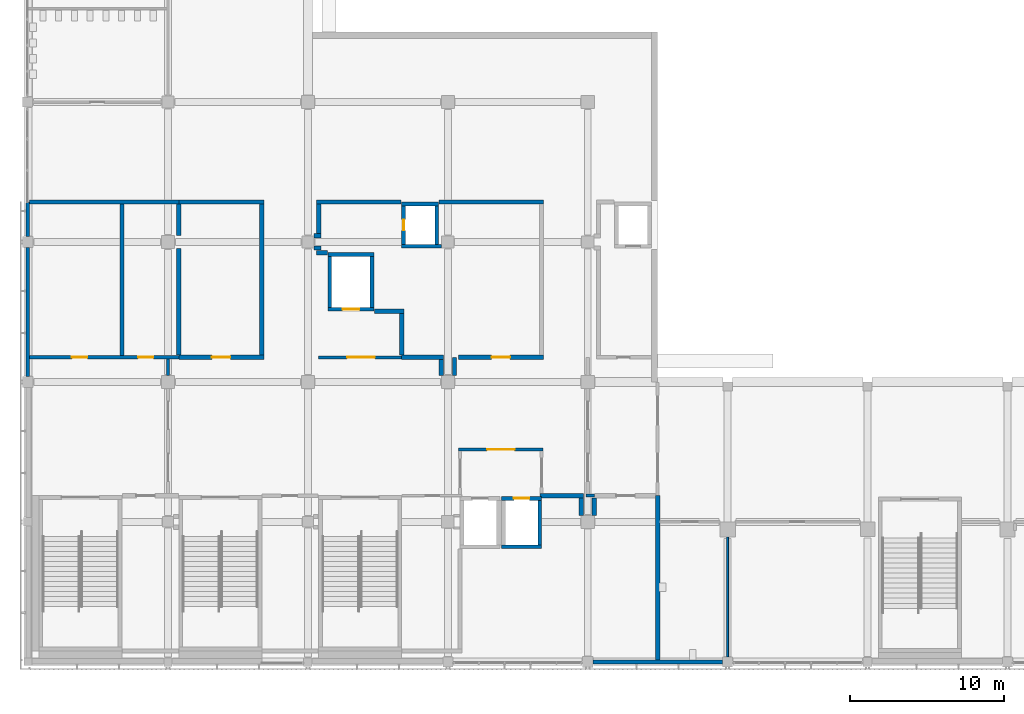
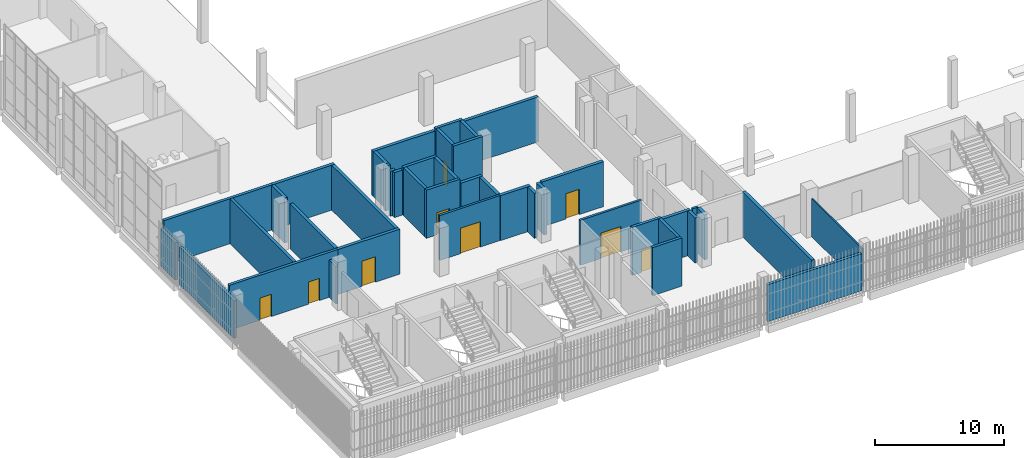
# One storey, part 74 of 126: 43 walls, 9 doors, 9 openings.
"""IFC4 building model written with IfcOpenShell, lengths in metres."""

from ifc_helpers import new_model, si_unit, direction, frame, frame_2d, origin, place, context, subcontext, project, spatial, rectangle, extrude, material, layer, layer_set, type_object, element, fill, save


model = new_model("IFC4")

# Units and contexts
model_context = context("Model", 3, precision=1e-05, world=origin(), true_north=direction((0.0, 1.0)))
body_context = subcontext(model_context, "Body", "Model", "MODEL_VIEW")
ifc_project = project(units=[si_unit("LENGTHUNIT", "METRE"), si_unit("AREAUNIT", "SQUARE_METRE"), si_unit("VOLUMEUNIT", "CUBIC_METRE"), si_unit("PLANEANGLEUNIT", "RADIAN"), si_unit("MASSUNIT", "GRAM", prefix="KILO")], contexts=[model_context])

# Site, building, storey
site_placement = place(None, origin())
site = spatial("IfcSite", under=ifc_project, at=site_placement, CompositionType="ELEMENT")
building_placement = place(site_placement, origin())
building = spatial("IfcBuilding", under=site, at=building_placement, Name="Shirokan Park Arena", CompositionType="ELEMENT")
storey_placement = place(building_placement, frame((0.0, 0.0, 6.3701171875)))
storey = spatial("IfcBuildingStorey", under=building, at=storey_placement, Name="L01", CompositionType="ELEMENT", Elevation=6.3701171875)

# Wall, openings, doors
ifc_material_1 = material(Name="Plaster")
ifc_layer_1 = layer(ifc_material_1, 0.014892578125, Name="Plaster")
ifc_material_2 = material(Name="Concrete blockwork", Category="masonry")
ifc_layer_2 = layer(ifc_material_2, 0.219970703125, Name="Concrete blockwork 220")
ifc_layer_3 = layer(ifc_material_1, 0.014892578125, Name="Plaster")
ifc_layer_set_1 = layer_set([ifc_layer_1, ifc_layer_2, ifc_layer_3], Name="Plaster + Concrete blockwork 220")
wall_type_1 = type_object("IfcWallType", Name="Compartment wall 250", PredefinedType="SOLIDWALL", material=ifc_layer_set_1)
wall_1_placement = place(storey_placement, frame((0.10009765625, 19.800048828125, 0.0), z_axis=(0.0, 0.0, 1.0), x_axis=(1.0, 0.0, 0.0)))
wall_1 = element("IfcWall", 1, at=wall_1_placement, inside=storey, type_object=wall_type_1, Name="Compartment wall 250 L01", PredefinedType="SOLIDWALL", context=body_context, shape_type="SweptSolid", body=[
    extrude(rectangle(XDim=9.699951171875, YDim=0.25, at=frame_2d((4.85009765625, 0.0))), origin(), (0.0, 0.0, 1.0), 4.25),
])
opening_1_placement = place(wall_1_placement, frame((7.050048828125, 0.0, 0.0)))
opening_1 = element("IfcOpeningElement", 2, at=opening_1_placement, cuts=wall_1, Name="Opening D-1001", PredefinedType="OPENING", context=body_context, shape_type="SweptSolid", body=[
    extrude(rectangle(XDim=1.0, YDim=2.10009765625, at=frame_2d((0.5, 1.050048828125))), frame((0.0, 0.135009765625, 0.0), z_axis=(0.0, -1.0, 0.0), x_axis=(1.0, 0.0, 0.0)), (0.0, 0.0, 1.0), 0.27001953125),
])
opening_2_placement = place(wall_1_placement, frame((2.75, 0.0, 0.0)))
opening_2 = element("IfcOpeningElement", 3, at=opening_2_placement, cuts=wall_1, Name="Opening D-1004", PredefinedType="OPENING", context=body_context, shape_type="SweptSolid", body=[
    extrude(rectangle(XDim=1.0, YDim=2.10009765625, at=frame_2d((0.5, 1.050048828125))), frame((0.0, 0.135009765625, 0.0), z_axis=(0.0, -1.0, 0.0), x_axis=(1.0, 0.0, 0.0)), (0.0, 0.0, 1.0), 0.27001953125),
])
ifc_material_3 = material(Name="Timber door set, fire resisting", Category="wood")
door_type_1 = type_object("IfcDoorType", Name="Door 1000 x 2100", OperationType="SINGLE_SWING_LEFT", PredefinedType="DOOR", material=ifc_material_3)
door_1_placement = place(opening_1_placement, origin())
door_1 = element("IfcDoor", 4, at=door_1_placement, inside=storey, type_object=door_type_1, Name="Door to Kiosk Store 1.17 D-1001", OperationType="SINGLE_SWING_LEFT", OverallHeight=2.10009765625, OverallWidth=1.0, PredefinedType="DOOR", context=body_context, shape_type="SweptSolid", body=[
    extrude(rectangle(XDim=1.0, YDim=2.10009765625, at=frame_2d((0.5, 1.050048828125))), frame((0.0, 0.02490234375, 0.0), z_axis=(0.0, -1.0, 0.0), x_axis=(1.0, 0.0, 0.0)), (0.0, 0.0, 1.0), 0.050048828125),
])
fill(opening_1, door_1)
door_2_placement = place(opening_2_placement, origin())
door_2 = element("IfcDoor", 5, at=door_2_placement, inside=storey, type_object=door_type_1, Name="Door to Kiosk Store 1.15 D-1004", OperationType="SINGLE_SWING_RIGHT", OverallHeight=2.10009765625, OverallWidth=1.0, PredefinedType="DOOR", context=body_context, shape_type="SweptSolid", body=[
    extrude(rectangle(XDim=1.0, YDim=2.10009765625, at=frame_2d((0.5, 1.050048828125))), frame((0.0, 0.02490234375, 0.0), z_axis=(0.0, -1.0, 0.0), x_axis=(1.0, 0.0, 0.0)), (0.0, 0.0, 1.0), 0.050048828125),
])
fill(opening_2, door_2)

# Walls
wall_2_placement = place(storey_placement, frame((0.10009765625, 29.89990234375, 0.0), z_axis=(0.0, 0.0, 1.0), x_axis=(1.0, 0.0, 0.0)))
element("IfcWall", 6, at=wall_2_placement, inside=storey, type_object=wall_type_1, Name="Compartment wall 250 L01", PredefinedType="SOLIDWALL", context=body_context, shape_type="SweptSolid", body=[
    extrude(rectangle(XDim=9.699951171875, YDim=0.25, at=frame_2d((4.85009765625, 0.0))), origin(), (0.0, 0.0, 1.0), 4.25),
])
wall_3_placement = place(storey_placement, frame((6.10009765625, 29.77490234375, 0.0), z_axis=(0.0, 0.0, 1.0), x_axis=(0.0, -1.0, 0.0)))
element("IfcWall", 7, at=wall_3_placement, inside=storey, type_object=wall_type_1, Name="Compartment wall 250 L01", PredefinedType="SOLIDWALL", context=body_context, shape_type="SweptSolid", body=[
    extrude(rectangle(XDim=9.849853515625, YDim=0.25, at=frame_2d((4.9248046875, 0.0))), origin(), (0.0, 0.0, 1.0), 4.25),
])
ifc_material_4 = material(Name="Gypsum board")
ifc_layer_4 = layer(ifc_material_4, 0.02490234375, Name="Gypsum board, two layers")
ifc_material_5 = material(Name="Mineral wool insulation")
ifc_layer_5 = layer(ifc_material_5, 0.14990234375, Name="Mineral wool insulation")
ifc_layer_6 = layer(ifc_material_4, 0.02490234375, Name="Gypsum board, two layers")
ifc_layer_set_2 = layer_set([ifc_layer_4, ifc_layer_5, ifc_layer_6], Name="Gypsum board, two layers + Mineral wool insulation")
wall_type_2 = type_object("IfcWallType", Name="Corridor wall 200", PredefinedType="PARTITIONING", material=ifc_layer_set_2)
wall_4_placement = place(storey_placement, frame((9.10009765625, 19.675048828125, 0.0), z_axis=(0.0, 0.0, 1.0), x_axis=(0.0, -1.0, 0.0)))
element("IfcWall", 8, at=wall_4_placement, inside=storey, type_object=wall_type_2, Name="Corridor wall 200 L01", PredefinedType="PARTITIONING", context=body_context, shape_type="SweptSolid", body=[
    extrude(rectangle(XDim=1.050048828125, YDim=0.199951171875, at=frame_2d((0.52490234375, 0.0))), origin(), (0.0, 0.0, 1.0), 3.5498046875),
])

# Wall, opening, door
wall_5_placement = place(storey_placement, frame((18.89990234375, 19.800048828125, 0.0), z_axis=(0.0, 0.0, 1.0), x_axis=(1.0, 0.0, 0.0)))
wall_5 = element("IfcWall", 9, at=wall_5_placement, inside=storey, type_object=wall_type_2, Name="Corridor wall 200 L01", PredefinedType="PARTITIONING", context=body_context, shape_type="SweptSolid", body=[
    extrude(rectangle(XDim=5.400146484375, YDim=0.199951171875, at=frame_2d((2.7001953125, 0.0))), origin(), (0.0, 0.0, 1.0), 4.25),
])
opening_3_placement = place(wall_5_placement, frame((1.85009765625, 0.0, 0.0)))
opening_3 = element("IfcOpeningElement", 10, at=opening_3_placement, cuts=wall_5, Name="Opening D-1060", PredefinedType="OPENING", context=body_context, shape_type="SweptSolid", body=[
    extrude(rectangle(XDim=1.800048828125, YDim=2.39990234375, at=frame_2d((0.89990234375, 1.199951171875))), frame((0.0, 0.10986328125, 0.0), z_axis=(0.0, -1.0, 0.0), x_axis=(1.0, 0.0, 0.0)), (0.0, 0.0, 1.0), 0.219970703125),
])
ifc_material_6 = material(Name="Glazed steel door set, fire resisting", Category="steel")
door_type_2 = type_object("IfcDoorType", Name="Lift lobby door 1800 x 2400", OperationType="DOUBLE_DOOR_SINGLE_SWING", PredefinedType="DOOR", material=ifc_material_6)
door_3_placement = place(opening_3_placement, origin())
door_3 = element("IfcDoor", 11, at=door_3_placement, inside=storey, type_object=door_type_2, Name="Door between Stair Lobby 1.1.2 and Service Lift Lobby 1.1 D-1060", OperationType="DOUBLE_DOOR_SINGLE_SWING", OverallHeight=2.39990234375, OverallWidth=1.800048828125, PredefinedType="DOOR", context=body_context, shape_type="SweptSolid", body=[
    extrude(rectangle(XDim=1.800048828125, YDim=2.39990234375, at=frame_2d((0.89990234375, 1.199951171875))), frame((0.0, 0.02490234375, 0.0), z_axis=(0.0, -1.0, 0.0), x_axis=(1.0, 0.0, 0.0)), (0.0, 0.0, 1.0), 0.050048828125),
])
fill(opening_3, door_3)

wall_6_placement = place(storey_placement, frame((33.5, 13.800048828125, 0.0), z_axis=(0.0, 0.0, 1.0), x_axis=(-1.0, 0.0, 0.0)))
wall_6 = element("IfcWall", 12, at=wall_6_placement, inside=storey, type_object=wall_type_2, Name="Corridor wall 200 L01", PredefinedType="PARTITIONING", context=body_context, shape_type="SweptSolid", body=[
    extrude(rectangle(XDim=5.5, YDim=0.199951171875, at=frame_2d((2.75, 0.0))), origin(), (0.0, 0.0, 1.0), 4.25),
])
opening_4_placement = place(wall_6_placement, frame((1.85009765625, 0.0, 0.0)))
opening_4 = element("IfcOpeningElement", 13, at=opening_4_placement, cuts=wall_6, Name="Opening D-1057", PredefinedType="OPENING", context=body_context, shape_type="SweptSolid", body=[
    extrude(rectangle(XDim=1.800048828125, YDim=2.39990234375, at=frame_2d((0.89990234375, 1.199951171875))), frame((0.0, 0.10986328125, 0.0), z_axis=(0.0, -1.0, 0.0), x_axis=(1.0, 0.0, 0.0)), (0.0, 0.0, 1.0), 0.219970703125),
])
door_4_placement = place(opening_4_placement, origin())
door_4 = element("IfcDoor", 14, at=door_4_placement, inside=storey, type_object=door_type_2, Name="Door between Stair Lobby 1.1.2 and Lift Lobby 1.1 D-1057", OperationType="DOUBLE_DOOR_SINGLE_SWING", OverallHeight=2.39990234375, OverallWidth=1.800048828125, PredefinedType="DOOR", context=body_context, shape_type="SweptSolid", body=[
    extrude(rectangle(XDim=1.800048828125, YDim=2.39990234375, at=frame_2d((0.89990234375, 1.199951171875))), frame((0.0, 0.02490234375, 0.0), z_axis=(0.0, -1.0, 0.0), x_axis=(1.0, 0.0, 0.0)), (0.0, 0.0, 1.0), 0.050048828125),
])
fill(opening_4, door_4)

# Wall
wall_7_placement = place(storey_placement, frame((36.300048828125, 10.800048828125, 0.0), z_axis=(0.0, 0.0, 1.0), x_axis=(1.0, 0.0, 0.0)))
element("IfcWall", 15, at=wall_7_placement, inside=storey, type_object=wall_type_2, Name="Corridor wall 200 L01", PredefinedType="PARTITIONING", context=body_context, shape_type="SweptSolid", body=[
    extrude(rectangle(XDim=0.52490234375, YDim=0.199951171875, at=frame_2d((0.262451171875, 0.0))), origin(), (0.0, 0.0, 1.0), 4.25),
])

# Wall, opening, door
ifc_layer_7 = layer(ifc_material_1, 0.012451171875, Name="Plaster")
ifc_layer_8 = layer(ifc_material_2, 0.25, Name="Concrete blockwork 250")
ifc_layer_9 = layer(ifc_material_1, 0.012451171875, Name="Plaster")
ifc_layer_set_3 = layer_set([ifc_layer_7, ifc_layer_8, ifc_layer_9], Name="Plaster + Concrete blockwork 250")
wall_type_3 = type_object("IfcWallType", Name="Plant room wall 275", PredefinedType="SOLIDWALL", material=ifc_layer_set_3)
wall_8_placement = place(storey_placement, frame((9.800048828125, 19.800048828125, 0.0), z_axis=(0.0, 0.0, 1.0), x_axis=(1.0, 0.0, 0.0)))
wall_8 = element("IfcWall", 16, at=wall_8_placement, inside=storey, type_object=wall_type_3, Name="Plant room wall 275 L01", PredefinedType="SOLIDWALL", context=body_context, shape_type="SweptSolid", body=[
    extrude(rectangle(XDim=5.537353515625, YDim=0.27490234375, at=frame_2d((2.7685546875, 0.0))), origin(), (0.0, 0.0, 1.0), 4.25),
])
opening_5_placement = place(wall_8_placement, frame((2.14990234375, 0.0, 0.0)))
opening_5 = element("IfcOpeningElement", 17, at=opening_5_placement, cuts=wall_8, Name="Opening D-1005", PredefinedType="OPENING", context=body_context, shape_type="SweptSolid", body=[
    extrude(rectangle(XDim=1.199951171875, YDim=2.39990234375, at=frame_2d((0.60009765625, 1.199951171875))), frame((0.0, 0.1474609375, 0.0), z_axis=(0.0, -1.0, 0.0), x_axis=(1.0, 0.0, 0.0)), (0.0, 0.0, 1.0), 0.294921875),
])
ifc_material_7 = material(Name="Louvred steel door set, fire resisting", Category="steel")
door_type_3 = type_object("IfcDoorType", Name="Plant room door 1200 x 2400", OperationType="SINGLE_SWING_LEFT", PredefinedType="DOOR", material=ifc_material_7)
door_5_placement = place(opening_5_placement, origin())
door_5 = element("IfcDoor", 18, at=door_5_placement, inside=storey, type_object=door_type_3, Name="Door to Communications Room 1.16 D-1005", OperationType="SINGLE_SWING_RIGHT", OverallHeight=2.39990234375, OverallWidth=1.199951171875, PredefinedType="DOOR", context=body_context, shape_type="SweptSolid", body=[
    extrude(rectangle(XDim=1.199951171875, YDim=2.39990234375, at=frame_2d((0.60009765625, 1.199951171875))), frame((0.0, 0.02490234375, 0.0), z_axis=(0.0, -1.0, 0.0), x_axis=(1.0, 0.0, 0.0)), (0.0, 0.0, 1.0), 0.050048828125),
])
fill(opening_5, door_5)

# Walls
wall_9_placement = place(storey_placement, frame((9.800048828125, 19.9375, 0.0), z_axis=(0.0, 0.0, 1.0), x_axis=(0.0, 1.0, 0.0)))
element("IfcWall", 19, at=wall_9_placement, inside=storey, type_object=wall_type_3, Name="Plant room wall 275 L01", PredefinedType="SOLIDWALL", context=body_context, shape_type="SweptSolid", body=[
    extrude(rectangle(XDim=6.9375, YDim=0.27490234375, at=frame_2d((3.46875, 0.0))), origin(), (0.0, 0.0, 1.0), 4.25),
])
wall_10_placement = place(storey_placement, frame((9.800048828125, 27.72509765625, 0.0), z_axis=(0.0, 0.0, 1.0), x_axis=(0.0, 1.0, 0.0)))
element("IfcWall", 20, at=wall_10_placement, inside=storey, type_object=wall_type_3, Name="Plant room wall 275 L01", PredefinedType="SOLIDWALL", context=body_context, shape_type="SweptSolid", body=[
    extrude(rectangle(XDim=2.037353515625, YDim=0.27490234375, at=frame_2d((1.0185546875, 0.0))), origin(), (0.0, 0.0, 1.0), 4.25),
])
wall_11_placement = place(storey_placement, frame((9.800048828125, 29.89990234375, 0.0), z_axis=(0.0, 0.0, 1.0), x_axis=(1.0, 0.0, 0.0)))
element("IfcWall", 21, at=wall_11_placement, inside=storey, type_object=wall_type_3, Name="Plant room wall 275 L01", PredefinedType="SOLIDWALL", context=body_context, shape_type="SweptSolid", body=[
    extrude(rectangle(XDim=5.537353515625, YDim=0.27490234375, at=frame_2d((2.7685546875, 0.0))), origin(), (0.0, 0.0, 1.0), 4.25),
])
wall_12_placement = place(storey_placement, frame((15.199951171875, 29.762451171875, 0.0), z_axis=(0.0, 0.0, 1.0), x_axis=(0.0, -1.0, 0.0)))
element("IfcWall", 22, at=wall_12_placement, inside=storey, type_object=wall_type_3, Name="Plant room wall 275 L01", PredefinedType="SOLIDWALL", context=body_context, shape_type="SweptSolid", body=[
    extrude(rectangle(XDim=9.824951171875, YDim=0.27490234375, at=frame_2d((4.91259765625, 0.0))), origin(), (0.0, 0.0, 1.0), 4.25),
])
wall_13_placement = place(storey_placement, frame((18.60009765625, 26.89990234375, 0.0), z_axis=(0.0, 0.0, 1.0), x_axis=(1.0, 0.0, 0.0)))
element("IfcWall", 23, at=wall_13_placement, inside=storey, type_object=wall_type_3, Name="Plant room wall 275 L01", PredefinedType="SOLIDWALL", context=body_context, shape_type="SweptSolid", body=[
    extrude(rectangle(XDim=0.4375, YDim=0.27490234375, at=frame_2d((0.21875, 0.0))), origin(), (0.0, 0.0, 1.0), 4.25),
])
wall_14_placement = place(storey_placement, frame((18.762451171875, 29.89990234375, 0.0), z_axis=(0.0, 0.0, 1.0), x_axis=(1.0, 0.0, 0.0)))
element("IfcWall", 24, at=wall_14_placement, inside=storey, type_object=wall_type_3, Name="Plant room wall 275 L01", PredefinedType="SOLIDWALL", context=body_context, shape_type="SweptSolid", body=[
    extrude(rectangle(XDim=5.507568359375, YDim=0.27490234375, at=frame_2d((2.75390625, 0.0))), origin(), (0.0, 0.0, 1.0), 4.25),
])
wall_15_placement = place(storey_placement, frame((18.89990234375, 29.762451171875, 0.0), z_axis=(0.0, 0.0, 1.0), x_axis=(0.0, -1.0, 0.0)))
element("IfcWall", 25, at=wall_15_placement, inside=storey, type_object=wall_type_3, Name="Plant room wall 275 L01", PredefinedType="SOLIDWALL", context=body_context, shape_type="SweptSolid", body=[
    extrude(rectangle(XDim=1.925048828125, YDim=0.27490234375, at=frame_2d((0.96240234375, 0.0))), origin(), (0.0, 0.0, 1.0), 4.25),
])
wall_16_placement = place(storey_placement, frame((19.03759765625, 27.699951171875, 0.0), z_axis=(0.0, 0.0, 1.0), x_axis=(-1.0, 0.0, 0.0)))
element("IfcWall", 26, at=wall_16_placement, inside=storey, type_object=wall_type_3, Name="Plant room wall 275 L01", PredefinedType="SOLIDWALL", context=body_context, shape_type="SweptSolid", body=[
    extrude(rectangle(XDim=0.4375, YDim=0.27490234375, at=frame_2d((0.21875, 0.0))), origin(), (0.0, 0.0, 1.0), 4.25),
])
wall_17_placement = place(storey_placement, frame((19.469970703125, 26.60009765625, 0.0), z_axis=(0.0, 0.0, 1.0), x_axis=(-1.0, 0.0, 0.0)))
element("IfcWall", 27, at=wall_17_placement, inside=storey, type_object=wall_type_3, Name="Plant room wall 275 L01", PredefinedType="SOLIDWALL", context=body_context, shape_type="SweptSolid", body=[
    extrude(rectangle(XDim=0.70751953125, YDim=0.27490234375, at=frame_2d((0.353759765625, 0.0))), origin(), (0.0, 0.0, 1.0), 4.25),
])
wall_18_placement = place(storey_placement, frame((24.300048828125, 19.800048828125, 0.0), z_axis=(0.0, 0.0, 1.0), x_axis=(1.0, 0.0, 0.0)))
element("IfcWall", 28, at=wall_18_placement, inside=storey, type_object=wall_type_3, Name="Plant room wall 275 L01", PredefinedType="SOLIDWALL", context=body_context, shape_type="SweptSolid", body=[
    extrude(rectangle(XDim=2.71240234375, YDim=0.27490234375, at=frame_2d((1.356201171875, 0.0))), origin(), (0.0, 0.0, 1.0), 4.25),
])
wall_19_placement = place(storey_placement, frame((24.300048828125, 19.9375, 0.0), z_axis=(0.0, 0.0, 1.0), x_axis=(0.0, 1.0, 0.0)))
element("IfcWall", 29, at=wall_19_placement, inside=storey, type_object=wall_type_3, Name="Plant room wall 275 L01", PredefinedType="SOLIDWALL", context=body_context, shape_type="SweptSolid", body=[
    extrude(rectangle(XDim=2.72509765625, YDim=0.27490234375, at=frame_2d((1.362548828125, 0.0))), origin(), (0.0, 0.0, 1.0), 4.25),
])
wall_20_placement = place(storey_placement, frame((24.4375, 22.800048828125, 0.0), z_axis=(0.0, 0.0, 1.0), x_axis=(-1.0, 0.0, 0.0)))
element("IfcWall", 30, at=wall_20_placement, inside=storey, type_object=wall_type_3, Name="Plant room wall 275 L01", PredefinedType="SOLIDWALL", context=body_context, shape_type="SweptSolid", body=[
    extrude(rectangle(XDim=1.907470703125, YDim=0.27490234375, at=frame_2d((0.95361328125, 0.0))), origin(), (0.0, 0.0, 1.0), 4.25),
])
wall_21_placement = place(storey_placement, frame((26.72998046875, 29.89990234375, 0.0), z_axis=(0.0, 0.0, 1.0), x_axis=(1.0, 0.0, 0.0)))
element("IfcWall", 31, at=wall_21_placement, inside=storey, type_object=wall_type_3, Name="Plant room wall 275 L01", PredefinedType="SOLIDWALL", context=body_context, shape_type="SweptSolid", body=[
    extrude(rectangle(XDim=6.8076171875, YDim=0.27490234375, at=frame_2d((3.40380859375, 0.0))), origin(), (0.0, 0.0, 1.0), 4.25),
])
wall_22_placement = place(storey_placement, frame((26.875, 19.66259765625, 0.0), z_axis=(0.0, 0.0, 1.0), x_axis=(0.0, -1.0, 0.0)))
element("IfcWall", 32, at=wall_22_placement, inside=storey, type_object=wall_type_3, Name="Plant room wall 275 L01", PredefinedType="SOLIDWALL", context=body_context, shape_type="SweptSolid", body=[
    extrude(rectangle(XDim=1.03759765625, YDim=0.27490234375, at=frame_2d((0.518798828125, 0.0))), origin(), (0.0, 0.0, 1.0), 4.25),
])
wall_23_placement = place(storey_placement, frame((27.72509765625, 18.625, 0.0), z_axis=(0.0, 0.0, 1.0), x_axis=(0.0, 1.0, 0.0)))
element("IfcWall", 33, at=wall_23_placement, inside=storey, type_object=wall_type_3, Name="Plant room wall 275 L01", PredefinedType="SOLIDWALL", context=body_context, shape_type="SweptSolid", body=[
    extrude(rectangle(XDim=1.175048828125, YDim=0.27490234375, at=frame_2d((0.58740234375, 0.0))), origin(), (0.0, 0.0, 1.0), 4.25),
])

# Wall, opening, door
wall_24_placement = place(storey_placement, frame((28.0, 19.800048828125, 0.0), z_axis=(0.0, 0.0, 1.0), x_axis=(1.0, 0.0, 0.0)))
wall_24 = element("IfcWall", 34, at=wall_24_placement, inside=storey, type_object=wall_type_3, Name="Plant room wall 275 L01", PredefinedType="SOLIDWALL", context=body_context, shape_type="SweptSolid", body=[
    extrude(rectangle(XDim=5.53759765625, YDim=0.27490234375, at=frame_2d((2.768798828125, 0.0))), origin(), (0.0, 0.0, 1.0), 4.25),
])
opening_6_placement = place(wall_24_placement, frame((2.14990234375, 0.0, 0.0)))
opening_6 = element("IfcOpeningElement", 35, at=opening_6_placement, cuts=wall_24, Name="Opening D-1002", PredefinedType="OPENING", context=body_context, shape_type="SweptSolid", body=[
    extrude(rectangle(XDim=1.199951171875, YDim=2.39990234375, at=frame_2d((0.60009765625, 1.199951171875))), frame((0.0, 0.1474609375, 0.0), z_axis=(0.0, -1.0, 0.0), x_axis=(1.0, 0.0, 0.0)), (0.0, 0.0, 1.0), 0.294921875),
])
door_6_placement = place(opening_6_placement, origin())
door_6 = element("IfcDoor", 36, at=door_6_placement, inside=storey, type_object=door_type_3, Name="Door to Communications Room 1.18 D-1002", OperationType="SINGLE_SWING_RIGHT", OverallHeight=2.39990234375, OverallWidth=1.199951171875, PredefinedType="DOOR", context=body_context, shape_type="SweptSolid", body=[
    extrude(rectangle(XDim=1.199951171875, YDim=2.39990234375, at=frame_2d((0.60009765625, 1.199951171875))), frame((0.0, 0.02490234375, 0.0), z_axis=(0.0, -1.0, 0.0), x_axis=(1.0, 0.0, 0.0)), (0.0, 0.0, 1.0), 0.050048828125),
])
fill(opening_6, door_6)

# Walls
wall_25_placement = place(storey_placement, frame((35.97509765625, 9.52490234375, 0.0), z_axis=(0.0, 0.0, 1.0), x_axis=(0.0, 1.0, 0.0)))
element("IfcWall", 37, at=wall_25_placement, inside=storey, type_object=wall_type_3, Name="Plant room wall 275 L01", PredefinedType="SOLIDWALL", context=body_context, shape_type="SweptSolid", body=[
    extrude(rectangle(XDim=1.1376953125, YDim=0.27490234375, at=frame_2d((0.56884765625, 0.0))), origin(), (0.0, 0.0, 1.0), 4.25),
])
wall_26_placement = place(storey_placement, frame((36.112548828125, 10.800048828125, 0.0), z_axis=(0.0, 0.0, 1.0), x_axis=(-1.0, 0.0, 0.0)))
element("IfcWall", 38, at=wall_26_placement, inside=storey, type_object=wall_type_3, Name="Plant room wall 275 L01", PredefinedType="SOLIDWALL", context=body_context, shape_type="SweptSolid", body=[
    extrude(rectangle(XDim=2.8125, YDim=0.27490234375, at=frame_2d((1.40625, 0.0))), origin(), (0.0, 0.0, 1.0), 4.25),
])
wall_27_placement = place(storey_placement, frame((36.824951171875, 10.66259765625, 0.0), z_axis=(0.0, 0.0, 1.0), x_axis=(0.0, -1.0, 0.0)))
element("IfcWall", 39, at=wall_27_placement, inside=storey, type_object=wall_type_3, Name="Plant room wall 275 L01", PredefinedType="SOLIDWALL", context=body_context, shape_type="SweptSolid", body=[
    extrude(rectangle(XDim=1.1376953125, YDim=0.27490234375, at=frame_2d((0.56884765625, 0.0))), origin(), (0.0, 0.0, 1.0), 4.25),
])
wall_28_placement = place(storey_placement, frame((40.949951171875, 0.10009765625, 0.0), z_axis=(0.0, 0.0, 1.0), x_axis=(0.0, 1.0, 0.0)))
element("IfcWall", 40, at=wall_28_placement, inside=storey, type_object=wall_type_3, Name="Plant room wall 275 L01", PredefinedType="SOLIDWALL", context=body_context, shape_type="SweptSolid", body=[
    extrude(rectangle(XDim=10.699951171875, YDim=0.27490234375, at=frame_2d((5.35009765625, 0.0))), origin(), (0.0, 0.0, 1.0), 4.25),
])
ifc_material_8 = material(Name="Concrete C40/50 precast", Category="concrete")
ifc_layer_10 = layer(ifc_material_8, 0.10009765625, Name="Concrete C40/50 precast")
ifc_layer_11 = layer(ifc_material_5, 0.10009765625, Name="Mineral wool insulation")
ifc_material_9 = material(Name="Gypsum board lining")
ifc_layer_12 = layer(ifc_material_9, 0.050048828125, Name="Gypsum board lining")
ifc_layer_set_4 = layer_set([ifc_layer_10, ifc_layer_11, ifc_layer_12], Name="Concrete C40/50 precast + Mineral wool insulation + Gypsum board lining")
wall_type_4 = type_object("IfcWallType", Name="Precast concrete panel wall 250", PredefinedType="SOLIDWALL", material=ifc_layer_set_4)
wall_29_placement = place(storey_placement, frame((36.75, -0.02490234375, 0.0), z_axis=(0.0, 0.0, 1.0), x_axis=(1.0, 0.0, 0.0)))
element("IfcWall", 41, at=wall_29_placement, inside=storey, type_object=wall_type_4, Name="South facade wall bay 5 L01", PredefinedType="SOLIDWALL", context=body_context, shape_type="SweptSolid", body=[
    extrude(rectangle(XDim=8.425048828125, YDim=0.25, at=frame_2d((4.21240234375, 0.0))), origin(), (0.0, 0.0, 1.0), 3.5),
])
wall_30_placement = place(storey_placement, frame((-0.02490234375, 29.89990234375, 0.0), z_axis=(0.0, 0.0, 1.0), x_axis=(0.0, -1.0, 0.0)))
element("IfcWall", 42, at=wall_30_placement, inside=storey, type_object=wall_type_4, Name="West facade wall bay 9 L01", PredefinedType="SOLIDWALL", context=body_context, shape_type="SweptSolid", body=[
    extrude(rectangle(XDim=2.25, YDim=0.25, at=frame_2d((1.125, 0.0))), origin(), (0.0, 0.0, 1.0), 3.5),
])
wall_31_placement = place(storey_placement, frame((-0.02490234375, 26.949951171875, 0.0), z_axis=(0.0, 0.0, 1.0), x_axis=(0.0, -1.0, 0.0)))
element("IfcWall", 43, at=wall_31_placement, inside=storey, type_object=wall_type_4, Name="West facade wall bay 10 L01", PredefinedType="SOLIDWALL", context=body_context, shape_type="SweptSolid", body=[
    extrude(rectangle(XDim=8.39990234375, YDim=0.25, at=frame_2d((4.199951171875, 0.0))), origin(), (0.0, 0.0, 1.0), 3.5498046875),
])
ifc_material_10 = material(Name="Concrete C40/50", Category="concrete")
ifc_layer_13 = layer(ifc_material_10, 0.25)
ifc_layer_set_5 = layer_set([ifc_layer_13], Name="Concrete C40/50 250 mm")
wall_type_5 = type_object("IfcWallType", Name="RC shear wall 250", PredefinedType="SHEAR", material=ifc_layer_set_5)
wall_32_placement = place(storey_placement, frame((33.39990234375, 7.47509765625, 0.0), z_axis=(0.0, 0.0, 1.0), x_axis=(-1.0, 0.0, 0.0)))
element("IfcWall", 44, at=wall_32_placement, inside=storey, type_object=wall_type_5, Name="Shaft wall Passenger Lift 1.2 S L01", PredefinedType="SHEAR", context=body_context, shape_type="SweptSolid", body=[
    extrude(rectangle(XDim=2.599853515625, YDim=0.25, at=frame_2d((1.2998046875, 0.0))), origin(), (0.0, 0.0, 1.0), 4.5498046875),
])

# Wall, opening, door
wall_33_placement = place(storey_placement, frame((33.39990234375, 10.625, 0.0), z_axis=(0.0, 0.0, 1.0), x_axis=(-1.0, 0.0, 0.0)))
wall_33 = element("IfcWall", 45, at=wall_33_placement, inside=storey, type_object=wall_type_5, Name="Shaft wall Passenger Lift 1.2 N L01", PredefinedType="SHEAR", context=body_context, shape_type="SweptSolid", body=[
    extrude(rectangle(XDim=2.599853515625, YDim=0.25, at=frame_2d((1.2998046875, 0.0))), origin(), (0.0, 0.0, 1.0), 4.5498046875),
])
opening_7_placement = place(wall_33_placement, frame((0.800048828125, 0.0, 0.0)))
opening_7 = element("IfcOpeningElement", 46, at=opening_7_placement, cuts=wall_33, Name="Opening LD08", PredefinedType="OPENING", context=body_context, shape_type="SweptSolid", body=[
    extrude(rectangle(XDim=1.0, YDim=2.10009765625, at=frame_2d((0.5, 1.050048828125))), frame((0.0, 0.135009765625, 0.0), z_axis=(0.0, -1.0, 0.0), x_axis=(1.0, 0.0, 0.0)), (0.0, 0.0, 1.0), 0.27001953125),
])
ifc_material_11 = material(Name="Stainless steel", Category="steel")
door_type_4 = type_object("IfcDoorType", Name="Lift landing door 1000x2100", OperationType="DOUBLE_DOOR_SLIDING", PredefinedType="DOOR", material=ifc_material_11)
door_7_placement = place(opening_7_placement, origin())
door_7 = element("IfcDoor", 47, at=door_7_placement, inside=storey, type_object=door_type_4, Name="Lift landing door Passenger Lift 1.2 L01", OperationType="DOUBLE_DOOR_SLIDING", OverallHeight=2.10009765625, OverallWidth=1.0, PredefinedType="DOOR", context=body_context, shape_type="SweptSolid", body=[
    extrude(rectangle(XDim=1.0, YDim=2.10009765625, at=frame_2d((0.5, 1.050048828125))), frame((0.0, 0.02490234375, 0.0), z_axis=(0.0, -1.0, 0.0), x_axis=(1.0, 0.0, 0.0)), (0.0, 0.0, 1.0), 0.050048828125),
])
fill(opening_7, door_7)

# Walls
wall_34_placement = place(storey_placement, frame((33.27490234375, 10.5, 0.0), z_axis=(0.0, 0.0, 1.0), x_axis=(0.0, -1.0, 0.0)))
element("IfcWall", 48, at=wall_34_placement, inside=storey, type_object=wall_type_5, Name="Shaft wall Passenger Lift 1.2 E L01", PredefinedType="SHEAR", context=body_context, shape_type="SweptSolid", body=[
    extrude(rectangle(XDim=2.89990234375, YDim=0.25, at=frame_2d((1.449951171875, 0.0))), origin(), (0.0, 0.0, 1.0), 4.5498046875),
])
wall_35_placement = place(storey_placement, frame((26.89990234375, 27.02490234375, 0.0), z_axis=(0.0, 0.0, 1.0), x_axis=(-1.0, 0.0, 0.0)))
element("IfcWall", 49, at=wall_35_placement, inside=storey, type_object=wall_type_5, Name="Shaft wall Services Riser 1.2 S L01", PredefinedType="SHEAR", context=body_context, shape_type="SweptSolid", body=[
    extrude(rectangle(XDim=2.599853515625, YDim=0.25, at=frame_2d((1.2998046875, 0.0))), origin(), (0.0, 0.0, 1.0), 4.5498046875),
])
wall_36_placement = place(storey_placement, frame((26.699951171875, 29.77490234375, 0.0), z_axis=(0.0, 0.0, 1.0), x_axis=(-1.0, 0.0, 0.0)))
element("IfcWall", 50, at=wall_36_placement, inside=storey, type_object=wall_type_5, Name="Shaft wall Services Riser 1.2 N L01", PredefinedType="SHEAR", context=body_context, shape_type="SweptSolid", body=[
    extrude(rectangle(XDim=2.39990234375, YDim=0.25, at=frame_2d((1.199951171875, 0.0))), origin(), (0.0, 0.0, 1.0), 4.5498046875),
])

# Wall, opening, door
wall_37_placement = place(storey_placement, frame((24.425048828125, 29.64990234375, 0.0), z_axis=(0.0, 0.0, 1.0), x_axis=(0.0, -1.0, 0.0)))
wall_37 = element("IfcWall", 51, at=wall_37_placement, inside=storey, type_object=wall_type_5, Name="Shaft wall Services Riser 1.2 W L01", PredefinedType="SHEAR", context=body_context, shape_type="SweptSolid", body=[
    extrude(rectangle(XDim=2.5, YDim=0.25, at=frame_2d((1.25, 0.0))), origin(), (0.0, 0.0, 1.0), 4.5498046875),
])
opening_8_placement = place(wall_37_placement, frame((0.89990234375, 0.0, 0.0)))
opening_8 = element("IfcOpeningElement", 52, at=opening_8_placement, cuts=wall_37, Name="Opening D-1096", PredefinedType="OPENING", context=body_context, shape_type="SweptSolid", body=[
    extrude(rectangle(XDim=0.699951171875, YDim=2.10009765625, at=frame_2d((0.35009765625, 1.050048828125))), frame((0.0, 0.135009765625, 0.0), z_axis=(0.0, -1.0, 0.0), x_axis=(1.0, 0.0, 0.0)), (0.0, 0.0, 1.0), 0.27001953125),
])
ifc_material_12 = material(Name="Steel door set, fire resisting", Category="steel")
door_type_5 = type_object("IfcDoorType", Name="Mechanical riser door 700 x 2100", OperationType="SINGLE_SWING_LEFT", PredefinedType="DOOR", material=ifc_material_12)
door_8_placement = place(opening_8_placement, origin())
door_8 = element("IfcDoor", 53, at=door_8_placement, inside=storey, type_object=door_type_5, Name="Riser access door Services Riser 1.2 D-1096", OperationType="SINGLE_SWING_LEFT", OverallHeight=2.10009765625, OverallWidth=0.699951171875, PredefinedType="DOOR", context=body_context, shape_type="SweptSolid", body=[
    extrude(rectangle(XDim=0.699951171875, YDim=2.10009765625, at=frame_2d((0.35009765625, 1.050048828125))), frame((0.0, 0.02490234375, 0.0), z_axis=(0.0, -1.0, 0.0), x_axis=(1.0, 0.0, 0.0)), (0.0, 0.0, 1.0), 0.050048828125),
])
fill(opening_8, door_8)

# Wall
wall_38_placement = place(storey_placement, frame((26.574951171875, 29.64990234375, 0.0), z_axis=(0.0, 0.0, 1.0), x_axis=(0.0, -1.0, 0.0)))
element("IfcWall", 54, at=wall_38_placement, inside=storey, type_object=wall_type_5, Name="Shaft wall Services Riser 1.2 E L01", PredefinedType="SHEAR", context=body_context, shape_type="SweptSolid", body=[
    extrude(rectangle(XDim=2.5, YDim=0.25, at=frame_2d((1.25, 0.0))), origin(), (0.0, 0.0, 1.0), 4.5498046875),
])

# Wall, opening, door
wall_39_placement = place(storey_placement, frame((22.5, 22.925048828125, 0.0), z_axis=(0.0, 0.0, 1.0), x_axis=(-1.0, 0.0, 0.0)))
wall_39 = element("IfcWall", 55, at=wall_39_placement, inside=storey, type_object=wall_type_5, Name="Shaft wall Service Lift 1 S L01", PredefinedType="SHEAR", context=body_context, shape_type="SweptSolid", body=[
    extrude(rectangle(XDim=3.0, YDim=0.25, at=frame_2d((1.5, 0.0))), origin(), (0.0, 0.0, 1.0), 4.5498046875),
])
opening_9_placement = place(wall_39_placement, frame((0.949951171875, 0.0, 0.0)))
opening_9 = element("IfcOpeningElement", 56, at=opening_9_placement, cuts=wall_39, Name="Opening LD50", PredefinedType="OPENING", context=body_context, shape_type="SweptSolid", body=[
    extrude(rectangle(XDim=1.10009765625, YDim=2.10009765625, at=frame_2d((0.550048828125, 1.050048828125))), frame((0.0, 0.135009765625, 0.0), z_axis=(0.0, -1.0, 0.0), x_axis=(1.0, 0.0, 0.0)), (0.0, 0.0, 1.0), 0.27001953125),
])
door_type_6 = type_object("IfcDoorType", Name="Lift landing door 1100x2100", OperationType="DOUBLE_DOOR_SLIDING", PredefinedType="DOOR", material=ifc_material_11)
door_9_placement = place(opening_9_placement, origin())
door_9 = element("IfcDoor", 57, at=door_9_placement, inside=storey, type_object=door_type_6, Name="Lift landing door Service Lift 1 L01", OperationType="DOUBLE_DOOR_SLIDING", OverallHeight=2.10009765625, OverallWidth=1.10009765625, PredefinedType="DOOR", context=body_context, shape_type="SweptSolid", body=[
    extrude(rectangle(XDim=1.10009765625, YDim=2.10009765625, at=frame_2d((0.550048828125, 1.050048828125))), frame((0.0, 0.02490234375, 0.0), z_axis=(0.0, -1.0, 0.0), x_axis=(1.0, 0.0, 0.0)), (0.0, 0.0, 1.0), 0.050048828125),
])
fill(opening_9, door_9)

# Walls
wall_40_placement = place(storey_placement, frame((22.5, 26.47509765625, 0.0), z_axis=(0.0, 0.0, 1.0), x_axis=(-1.0, 0.0, 0.0)))
element("IfcWall", 58, at=wall_40_placement, inside=storey, type_object=wall_type_5, Name="Shaft wall Service Lift 1 N L01", PredefinedType="SHEAR", context=body_context, shape_type="SweptSolid", body=[
    extrude(rectangle(XDim=3.0, YDim=0.25, at=frame_2d((1.5, 0.0))), origin(), (0.0, 0.0, 1.0), 4.5498046875),
])
for number, where, z_axis, x_axis, name in (
    (59, (19.625, 26.35009765625, 0.0), (0.0, 0.0, 1.0), (0.0, -1.0, 0.0), "Shaft wall Service Lift 1 W L01"),
    (60, (22.375, 26.35009765625, 0.0), (0.0, 0.0, 1.0), (0.0, -1.0, 0.0), "Shaft wall Service Lift 1 E L01"),
):
    element("IfcWall", number, at=place(storey_placement, frame(where, z_axis=z_axis, x_axis=x_axis)), inside=storey, type_object=wall_type_5, Name=name, PredefinedType="SHEAR", context=body_context, shape_type="SweptSolid", body=[
        extrude(rectangle(XDim=3.300048828125, YDim=0.25, at=frame_2d((1.64990234375, 0.0))), origin(), (0.0, 0.0, 1.0), 4.5498046875),
    ])
ifc_material_13 = material(Name="Ceramic tile")
ifc_layer_14 = layer(ifc_material_13, 0.010009765625, Name="Ceramic tile")
ifc_material_14 = material(Name="Cement board")
ifc_layer_15 = layer(ifc_material_14, 0.012451171875, Name="Cement board")
ifc_layer_16 = layer(ifc_material_5, 0.080078125, Name="Mineral wool insulation")
ifc_layer_17 = layer(ifc_material_14, 0.012451171875, Name="Cement board")
ifc_layer_18 = layer(ifc_material_13, 0.010009765625, Name="Ceramic tile")
ifc_layer_set_6 = layer_set([ifc_layer_14, ifc_layer_15, ifc_layer_16, ifc_layer_17, ifc_layer_18], Name="Ceramic tile + Cement board + Mineral wool insulation")
wall_type_6 = type_object("IfcWallType", Name="Wet-area wall 125", PredefinedType="PARTITIONING", material=ifc_layer_set_6)
wall_41_placement = place(storey_placement, frame((45.5, 8.10009765625, 0.0), z_axis=(0.0, 0.0, 1.0), x_axis=(0.0, -1.0, 0.0)))
element("IfcWall", 61, at=wall_41_placement, inside=storey, type_object=wall_type_6, Name="Wet-area wall 125 L01", PredefinedType="PARTITIONING", context=body_context, shape_type="SweptSolid", body=[
    extrude(rectangle(XDim=7.800048828125, YDim=0.125, at=frame_2d((3.89990234375, 0.0))), origin(), (0.0, 0.0, 1.0), 3.599853515625),
])

save(model, "model.ifc")
